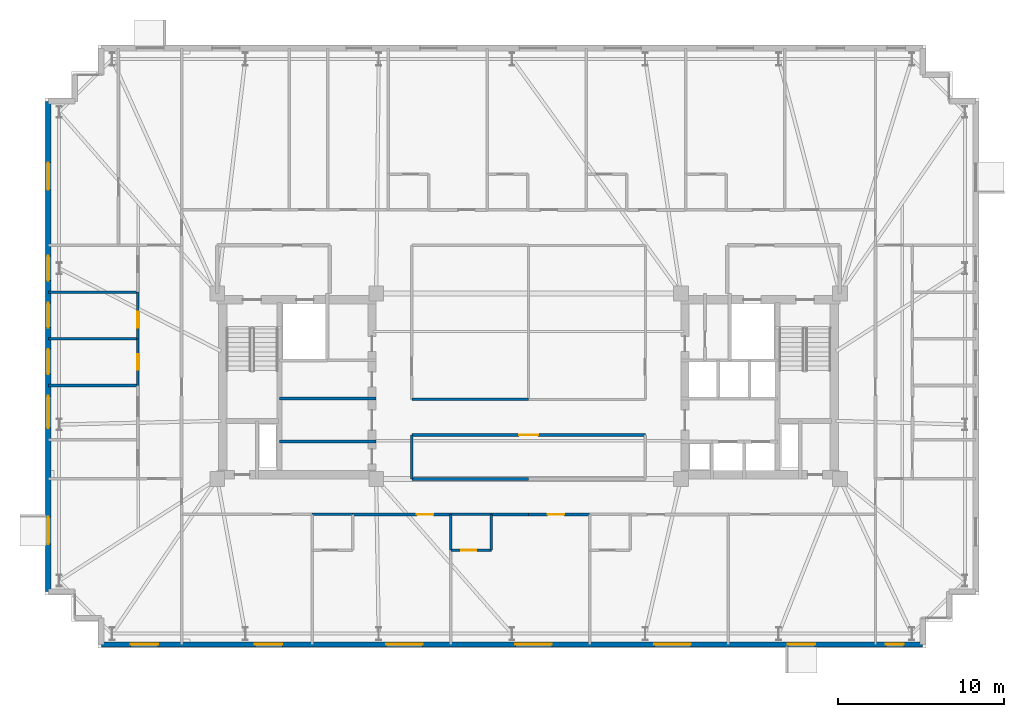
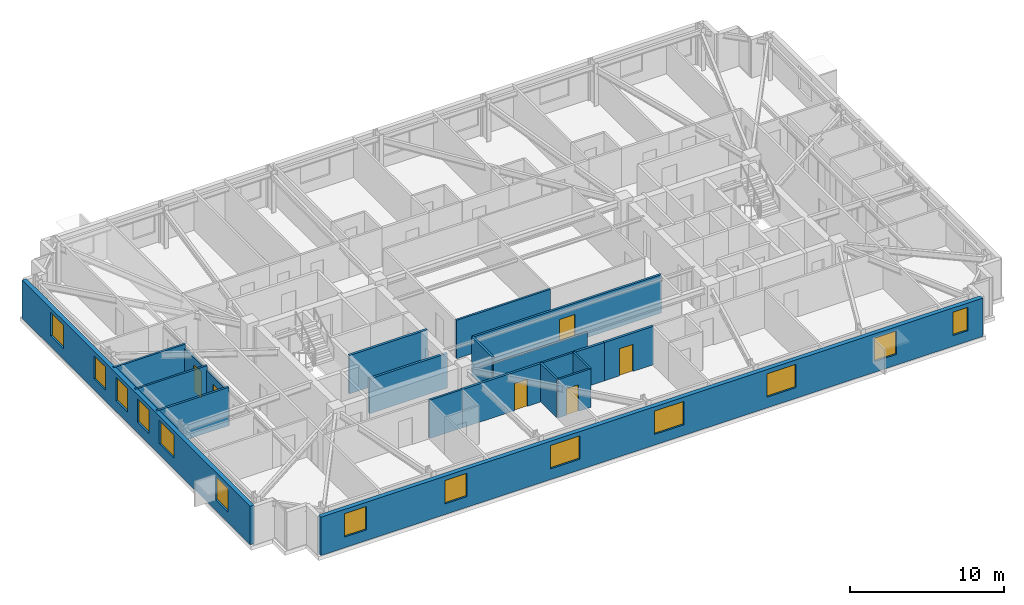
# One storey, part 11 of 19: 21 walls, 13 windows, 6 doors, 19 openings.
"""IFC4 building model written with IfcOpenShell, lengths in metres."""

from ifc_helpers import new_model, si_unit, direction, frame, frame_2d, origin, place, context, subcontext, project, spatial, rectangle, extrude, material, layer, layer_set, type_object, element, fill, save


model = new_model("IFC4")

# Units and contexts
model_context = context("Model", 3, precision=1e-05, world=origin(), true_north=direction((0.0, 1.0)))
body_context = subcontext(model_context, "Body", "Model", "MODEL_VIEW")
ifc_project = project(units=[si_unit("LENGTHUNIT", "METRE"), si_unit("AREAUNIT", "SQUARE_METRE"), si_unit("VOLUMEUNIT", "CUBIC_METRE"), si_unit("PLANEANGLEUNIT", "RADIAN"), si_unit("MASSUNIT", "GRAM", prefix="KILO")], contexts=[model_context])

# Site, building, storey
site_placement = place(None, origin())
site = spatial("IfcSite", under=ifc_project, at=site_placement, CompositionType="ELEMENT")
building_placement = place(site_placement, origin())
building = spatial("IfcBuilding", under=site, at=building_placement, Name="Qobustan Lattice House", CompositionType="ELEMENT")
storey_placement = place(building_placement, frame((0.0, 0.0, 137.699951171875)))
storey = spatial("IfcBuildingStorey", under=building, at=storey_placement, Name="L38", CompositionType="ELEMENT", Elevation=137.699951171875)

# Wall, openings, windows
ifc_material_1 = material(Name="Precast concrete C40/50", Category="concrete")
ifc_layer_1 = layer(ifc_material_1, 0.320068359375)
ifc_layer_set_1 = layer_set([ifc_layer_1], Name="Precast concrete C40/50")
wall_type_1 = type_object("IfcWallType", Name="WAL-EXT-STONE-320", PredefinedType="SOLIDWALL", material=ifc_layer_set_1)
wall_1_placement = place(storey_placement, frame((-29.0, -12.39990234375, 0.0), z_axis=(0.0, 0.0, 1.0), x_axis=(0.0, 1.0, 0.0)))
wall_1 = element("IfcWall", 1, at=wall_1_placement, inside=storey, type_object=wall_type_1, Name="L38 exterior limestone-clad wall 5", PredefinedType="SOLIDWALL", context=body_context, shape_type="SweptSolid", body=[
    extrude(rectangle(XDim=29.599853515625, YDim=0.320068359375, at=frame_2d((14.7998046875, 0.0))), origin(), (0.0, 0.0, 1.0), 3.0400390625),
])
opening_1_placement = place(wall_1_placement, frame((2.85498046875, 0.0, 0.85009765625)))
opening_1 = element("IfcOpeningElement", 2, at=opening_1_placement, cuts=wall_1, Name="Opening WN-09", PredefinedType="OPENING", context=body_context, shape_type="SweptSolid", body=[
    extrude(rectangle(XDim=1.64990234375, YDim=1.85009765625, at=frame_2d((0.824951171875, 0.925048828125))), frame((0.0, 0.169921875, 0.0), z_axis=(0.0, -1.0, 0.0), x_axis=(1.0, 0.0, 0.0)), (0.0, 0.0, 1.0), 0.340087890625),
])
opening_2_placement = place(wall_1_placement, frame((9.864990234375, 0.0, 0.85009765625)))
opening_2 = element("IfcOpeningElement", 3, at=opening_2_placement, cuts=wall_1, Name="Opening WN-08", PredefinedType="OPENING", context=body_context, shape_type="SweptSolid", body=[
    extrude(rectangle(XDim=1.949951171875, YDim=1.85009765625, at=frame_2d((0.97509765625, 0.925048828125))), frame((0.0, 0.169921875, 0.0), z_axis=(0.0, -1.0, 0.0), x_axis=(1.0, 0.0, 0.0)), (0.0, 0.0, 1.0), 0.340087890625),
])
opening_3_placement = place(wall_1_placement, frame((13.1298828125, 0.0, 0.85009765625)))
opening_3 = element("IfcOpeningElement", 4, at=opening_3_placement, cuts=wall_1, Name="Opening WN-01", PredefinedType="OPENING", context=body_context, shape_type="SweptSolid", body=[
    extrude(rectangle(XDim=1.5, YDim=1.85009765625, at=frame_2d((0.75, 0.925048828125))), frame((0.0, 0.169921875, 0.0), z_axis=(0.0, -1.0, 0.0), x_axis=(1.0, 0.0, 0.0)), (0.0, 0.0, 1.0), 0.340087890625),
])
opening_4_placement = place(wall_1_placement, frame((15.929931640625, 0.0, 0.85009765625)))
opening_4 = element("IfcOpeningElement", 5, at=opening_4_placement, cuts=wall_1, Name="Opening WN-01", PredefinedType="OPENING", context=body_context, shape_type="SweptSolid", body=[
    extrude(rectangle(XDim=1.5, YDim=1.85009765625, at=frame_2d((0.75, 0.925048828125))), frame((0.0, 0.169921875, 0.0), z_axis=(0.0, -1.0, 0.0), x_axis=(1.0, 0.0, 0.0)), (0.0, 0.0, 1.0), 0.340087890625),
])
opening_5_placement = place(wall_1_placement, frame((18.77001953125, 0.0, 0.85009765625)))
opening_5 = element("IfcOpeningElement", 6, at=opening_5_placement, cuts=wall_1, Name="Opening WN-01", PredefinedType="OPENING", context=body_context, shape_type="SweptSolid", body=[
    extrude(rectangle(XDim=1.5, YDim=1.85009765625, at=frame_2d((0.75, 0.925048828125))), frame((0.0, 0.169921875, 0.0), z_axis=(0.0, -1.0, 0.0), x_axis=(1.0, 0.0, 0.0)), (0.0, 0.0, 1.0), 0.340087890625),
])
opening_6_placement = place(wall_1_placement, frame((24.2548828125, 0.0, 0.85009765625)))
opening_6 = element("IfcOpeningElement", 7, at=opening_6_placement, cuts=wall_1, Name="Opening WN-09", PredefinedType="OPENING", context=body_context, shape_type="SweptSolid", body=[
    extrude(rectangle(XDim=1.64990234375, YDim=1.85009765625, at=frame_2d((0.824951171875, 0.925048828125))), frame((0.0, 0.169921875, 0.0), z_axis=(0.0, -1.0, 0.0), x_axis=(1.0, 0.0, 0.0)), (0.0, 0.0, 1.0), 0.340087890625),
])
ifc_material_2 = material(Name="Double-glazed low-E aluminium window", Category="aluminium")
window_type_1 = type_object("IfcWindowType", Name="WIN-BED-1500x1850", PartitioningType="SINGLE_PANEL", PredefinedType="WINDOW", material=ifc_material_2)
window_1_placement = place(opening_3_placement, origin())
window_1 = element("IfcWindow", 8, at=window_1_placement, inside=storey, type_object=window_type_1, Name="L38 Cluster bedroom L38W1 window", OverallHeight=1.85009765625, OverallWidth=1.5, PartitioningType="SINGLE_PANEL", PredefinedType="WINDOW", context=body_context, shape_type="SweptSolid", body=[
    extrude(rectangle(XDim=1.5, YDim=1.85009765625, at=frame_2d((0.75, 0.925048828125))), frame((0.0, 0.030029296875, 0.0), z_axis=(0.0, -1.0, 0.0), x_axis=(1.0, 0.0, 0.0)), (0.0, 0.0, 1.0), 0.06005859375),
])
fill(opening_3, window_1)
window_2_placement = place(opening_4_placement, origin())
window_2 = element("IfcWindow", 9, at=window_2_placement, inside=storey, type_object=window_type_1, Name="L38 Cluster bedroom L38W2 window", OverallHeight=1.85009765625, OverallWidth=1.5, PartitioningType="SINGLE_PANEL", PredefinedType="WINDOW", context=body_context, shape_type="SweptSolid", body=[
    extrude(rectangle(XDim=1.5, YDim=1.85009765625, at=frame_2d((0.75, 0.925048828125))), frame((0.0, 0.030029296875, 0.0), z_axis=(0.0, -1.0, 0.0), x_axis=(1.0, 0.0, 0.0)), (0.0, 0.0, 1.0), 0.06005859375),
])
fill(opening_4, window_2)
window_3_placement = place(opening_5_placement, origin())
window_3 = element("IfcWindow", 10, at=window_3_placement, inside=storey, type_object=window_type_1, Name="L38 Cluster bedroom L38W3 window", OverallHeight=1.85009765625, OverallWidth=1.5, PartitioningType="SINGLE_PANEL", PredefinedType="WINDOW", context=body_context, shape_type="SweptSolid", body=[
    extrude(rectangle(XDim=1.5, YDim=1.85009765625, at=frame_2d((0.75, 0.925048828125))), frame((0.0, 0.030029296875, 0.0), z_axis=(0.0, -1.0, 0.0), x_axis=(1.0, 0.0, 0.0)), (0.0, 0.0, 1.0), 0.06005859375),
])
fill(opening_5, window_3)
ifc_material_3 = material(Name="Double-glazed low-E aluminium window", Category="aluminium")
window_type_2 = type_object("IfcWindowType", Name="WIN-KIT-1950x1850", PartitioningType="SINGLE_PANEL", PredefinedType="WINDOW", material=ifc_material_3)
window_4_placement = place(opening_2_placement, origin())
window_4 = element("IfcWindow", 11, at=window_4_placement, inside=storey, type_object=window_type_2, Name="L38 Shared kitchen L38W window", OverallHeight=1.85009765625, OverallWidth=1.949951171875, PartitioningType="SINGLE_PANEL", PredefinedType="WINDOW", context=body_context, shape_type="SweptSolid", body=[
    extrude(rectangle(XDim=1.949951171875, YDim=1.85009765625, at=frame_2d((0.97509765625, 0.925048828125))), frame((0.0, 0.030029296875, 0.0), z_axis=(0.0, -1.0, 0.0), x_axis=(1.0, 0.0, 0.0)), (0.0, 0.0, 1.0), 0.06005859375),
])
fill(opening_2, window_4)
ifc_material_4 = material(Name="Double-glazed low-E aluminium window", Category="aluminium")
window_type_3 = type_object("IfcWindowType", Name="WIN-STU-1650x1850", PartitioningType="SINGLE_PANEL", PredefinedType="WINDOW", material=ifc_material_4)
window_5_placement = place(opening_1_placement, origin())
window_5 = element("IfcWindow", 12, at=window_5_placement, inside=storey, type_object=window_type_3, Name="L38 Reading study room L38WS window", OverallHeight=1.85009765625, OverallWidth=1.64990234375, PartitioningType="SINGLE_PANEL", PredefinedType="WINDOW", context=body_context, shape_type="SweptSolid", body=[
    extrude(rectangle(XDim=1.64990234375, YDim=1.85009765625, at=frame_2d((0.824951171875, 0.925048828125))), frame((0.0, 0.030029296875, 0.0), z_axis=(0.0, -1.0, 0.0), x_axis=(1.0, 0.0, 0.0)), (0.0, 0.0, 1.0), 0.06005859375),
])
fill(opening_1, window_5)
window_6_placement = place(opening_6_placement, origin())
window_6 = element("IfcWindow", 13, at=window_6_placement, inside=storey, type_object=window_type_3, Name="L38 Collaborative study room L38WN window", OverallHeight=1.85009765625, OverallWidth=1.64990234375, PartitioningType="SINGLE_PANEL", PredefinedType="WINDOW", context=body_context, shape_type="SweptSolid", body=[
    extrude(rectangle(XDim=1.64990234375, YDim=1.85009765625, at=frame_2d((0.824951171875, 0.925048828125))), frame((0.0, 0.030029296875, 0.0), z_axis=(0.0, -1.0, 0.0), x_axis=(1.0, 0.0, 0.0)), (0.0, 0.0, 1.0), 0.06005859375),
])
fill(opening_6, window_6)

wall_2_placement = place(storey_placement, frame((23.800048828125, -15.60009765625, 0.0), z_axis=(0.0, 0.0, 1.0), x_axis=(-1.0, 0.0, 0.0)))
wall_2 = element("IfcWall", 14, at=wall_2_placement, inside=storey, type_object=wall_type_1, Name="L38 exterior limestone-clad wall 20", PredefinedType="SOLIDWALL", context=body_context, shape_type="SweptSolid", body=[
    extrude(rectangle(XDim=49.60009765625, YDim=0.320068359375, at=frame_2d((24.800048828125, 0.0))), origin(), (0.0, 0.0, 1.0), 3.0400390625),
])
opening_7_placement = place(wall_2_placement, frame((1.1298828125, 0.0, 0.85009765625)))
opening_7 = element("IfcOpeningElement", 15, at=opening_7_placement, cuts=wall_2, Name="Opening WN-04", PredefinedType="OPENING", context=body_context, shape_type="SweptSolid", body=[
    extrude(rectangle(XDim=1.10009765625, YDim=1.85009765625, at=frame_2d((0.550048828125, 0.925048828125))), frame((0.0, 0.169921875, 0.0), z_axis=(0.0, -1.0, 0.0), x_axis=(1.0, 0.0, 0.0)), (0.0, 0.0, 1.0), 0.340087890625),
])
opening_8_placement = place(wall_2_placement, frame((6.4951171875, 0.0, 0.85009765625)))
opening_8 = element("IfcOpeningElement", 16, at=opening_8_placement, cuts=wall_2, Name="Opening WN-09", PredefinedType="OPENING", context=body_context, shape_type="SweptSolid", body=[
    extrude(rectangle(XDim=1.64990234375, YDim=1.85009765625, at=frame_2d((0.824951171875, 0.925048828125))), frame((0.0, 0.169921875, 0.0), z_axis=(0.0, -1.0, 0.0), x_axis=(1.0, 0.0, 0.0)), (0.0, 0.0, 1.0), 0.340087890625),
])
opening_9_placement = place(wall_2_placement, frame((13.99609375, 0.0, 0.85009765625)))
opening_9 = element("IfcOpeningElement", 17, at=opening_9_placement, cuts=wall_2, Name="Opening WN-03", PredefinedType="OPENING", context=body_context, shape_type="SweptSolid", body=[
    extrude(rectangle(XDim=2.199951171875, YDim=1.85009765625, at=frame_2d((1.10009765625, 0.925048828125))), frame((0.0, 0.169921875, 0.0), z_axis=(0.0, -1.0, 0.0), x_axis=(1.0, 0.0, 0.0)), (0.0, 0.0, 1.0), 0.340087890625),
])
opening_10_placement = place(wall_2_placement, frame((22.39599609375, 0.0, 0.85009765625)))
opening_10 = element("IfcOpeningElement", 18, at=opening_10_placement, cuts=wall_2, Name="Opening WN-03", PredefinedType="OPENING", context=body_context, shape_type="SweptSolid", body=[
    extrude(rectangle(XDim=2.199951171875, YDim=1.85009765625, at=frame_2d((1.10009765625, 0.925048828125))), frame((0.0, 0.169921875, 0.0), z_axis=(0.0, -1.0, 0.0), x_axis=(1.0, 0.0, 0.0)), (0.0, 0.0, 1.0), 0.340087890625),
])
opening_11_placement = place(wall_2_placement, frame((30.199951171875, 0.0, 0.85009765625)))
opening_11 = element("IfcOpeningElement", 19, at=opening_11_placement, cuts=wall_2, Name="Opening WN-03", PredefinedType="OPENING", context=body_context, shape_type="SweptSolid", body=[
    extrude(rectangle(XDim=2.199951171875, YDim=1.85009765625, at=frame_2d((1.10009765625, 0.925048828125))), frame((0.0, 0.169921875, 0.0), z_axis=(0.0, -1.0, 0.0), x_axis=(1.0, 0.0, 0.0)), (0.0, 0.0, 1.0), 0.340087890625),
])
opening_12_placement = place(wall_2_placement, frame((38.672607421875, 0.0, 0.85009765625)))
opening_12 = element("IfcOpeningElement", 20, at=opening_12_placement, cuts=wall_2, Name="Opening WN-09", PredefinedType="OPENING", context=body_context, shape_type="SweptSolid", body=[
    extrude(rectangle(XDim=1.64990234375, YDim=1.85009765625, at=frame_2d((0.824951171875, 0.925048828125))), frame((0.0, 0.169921875, 0.0), z_axis=(0.0, -1.0, 0.0), x_axis=(1.0, 0.0, 0.0)), (0.0, 0.0, 1.0), 0.340087890625),
])
opening_13_placement = place(wall_2_placement, frame((46.175048828125, 0.0, 0.85009765625)))
opening_13 = element("IfcOpeningElement", 21, at=opening_13_placement, cuts=wall_2, Name="Opening WN-09", PredefinedType="OPENING", context=body_context, shape_type="SweptSolid", body=[
    extrude(rectangle(XDim=1.64990234375, YDim=1.85009765625, at=frame_2d((0.824951171875, 0.925048828125))), frame((0.0, 0.169921875, 0.0), z_axis=(0.0, -1.0, 0.0), x_axis=(1.0, 0.0, 0.0)), (0.0, 0.0, 1.0), 0.340087890625),
])
ifc_material_5 = material(Name="Double-glazed low-E aluminium window", Category="aluminium")
window_type_4 = type_object("IfcWindowType", Name="WIN-NAR-1100x1850", PartitioningType="SINGLE_PANEL", PredefinedType="WINDOW", material=ifc_material_5)
window_7_placement = place(opening_7_placement, origin())
window_7 = element("IfcWindow", 22, at=window_7_placement, inside=storey, type_object=window_type_4, Name="L38 Reading study room L38ES window", OverallHeight=1.85009765625, OverallWidth=1.10009765625, PartitioningType="SINGLE_PANEL", PredefinedType="WINDOW", context=body_context, shape_type="SweptSolid", body=[
    extrude(rectangle(XDim=1.10009765625, YDim=1.85009765625, at=frame_2d((0.550048828125, 0.925048828125))), frame((0.0, 0.030029296875, 0.0), z_axis=(0.0, -1.0, 0.0), x_axis=(1.0, 0.0, 0.0)), (0.0, 0.0, 1.0), 0.06005859375),
])
fill(opening_7, window_7)
window_8_placement = place(opening_8_placement, origin())
window_8 = element("IfcWindow", 23, at=window_8_placement, inside=storey, type_object=window_type_3, Name="L38 Group study room window", OverallHeight=1.85009765625, OverallWidth=1.64990234375, PartitioningType="SINGLE_PANEL", PredefinedType="WINDOW", context=body_context, shape_type="SweptSolid", body=[
    extrude(rectangle(XDim=1.64990234375, YDim=1.85009765625, at=frame_2d((0.824951171875, 0.925048828125))), frame((0.0, 0.030029296875, 0.0), z_axis=(0.0, -1.0, 0.0), x_axis=(1.0, 0.0, 0.0)), (0.0, 0.0, 1.0), 0.06005859375),
])
fill(opening_8, window_8)
window_9_placement = place(opening_12_placement, origin())
window_9 = element("IfcWindow", 24, at=window_9_placement, inside=storey, type_object=window_type_3, Name="L38 Focus study room S1 window", OverallHeight=1.85009765625, OverallWidth=1.64990234375, PartitioningType="SINGLE_PANEL", PredefinedType="WINDOW", context=body_context, shape_type="SweptSolid", body=[
    extrude(rectangle(XDim=1.64990234375, YDim=1.85009765625, at=frame_2d((0.824951171875, 0.925048828125))), frame((0.0, 0.030029296875, 0.0), z_axis=(0.0, -1.0, 0.0), x_axis=(1.0, 0.0, 0.0)), (0.0, 0.0, 1.0), 0.06005859375),
])
fill(opening_12, window_9)
window_10_placement = place(opening_13_placement, origin())
window_10 = element("IfcWindow", 25, at=window_10_placement, inside=storey, type_object=window_type_3, Name="L38 Reading study room L38WS window", OverallHeight=1.85009765625, OverallWidth=1.64990234375, PartitioningType="SINGLE_PANEL", PredefinedType="WINDOW", context=body_context, shape_type="SweptSolid", body=[
    extrude(rectangle(XDim=1.64990234375, YDim=1.85009765625, at=frame_2d((0.824951171875, 0.925048828125))), frame((0.0, 0.030029296875, 0.0), z_axis=(0.0, -1.0, 0.0), x_axis=(1.0, 0.0, 0.0)), (0.0, 0.0, 1.0), 0.06005859375),
])
fill(opening_13, window_10)
ifc_material_6 = material(Name="Double-glazed low-E aluminium window", Category="aluminium")
window_type_5 = type_object("IfcWindowType", Name="WIN-WIDE-2200x1850", PartitioningType="SINGLE_PANEL", PredefinedType="WINDOW", material=ifc_material_6)
window_11_placement = place(opening_9_placement, origin())
window_11 = element("IfcWindow", 26, at=window_11_placement, inside=storey, type_object=window_type_5, Name="L38 Kitchenette and studio apartment L38-S4 window", OverallHeight=1.85009765625, OverallWidth=2.199951171875, PartitioningType="SINGLE_PANEL", PredefinedType="WINDOW", context=body_context, shape_type="SweptSolid", body=[
    extrude(rectangle(XDim=2.199951171875, YDim=1.85009765625, at=frame_2d((1.10009765625, 0.925048828125))), frame((0.0, 0.030029296875, 0.0), z_axis=(0.0, -1.0, 0.0), x_axis=(1.0, 0.0, 0.0)), (0.0, 0.0, 1.0), 0.06005859375),
])
fill(opening_9, window_11)
window_12_placement = place(opening_10_placement, origin())
window_12 = element("IfcWindow", 27, at=window_12_placement, inside=storey, type_object=window_type_5, Name="L38 Kitchenette and studio apartment L38-S3 window", OverallHeight=1.85009765625, OverallWidth=2.199951171875, PartitioningType="SINGLE_PANEL", PredefinedType="WINDOW", context=body_context, shape_type="SweptSolid", body=[
    extrude(rectangle(XDim=2.199951171875, YDim=1.85009765625, at=frame_2d((1.10009765625, 0.925048828125))), frame((0.0, 0.030029296875, 0.0), z_axis=(0.0, -1.0, 0.0), x_axis=(1.0, 0.0, 0.0)), (0.0, 0.0, 1.0), 0.06005859375),
])
fill(opening_10, window_12)
window_13_placement = place(opening_11_placement, origin())
window_13 = element("IfcWindow", 28, at=window_13_placement, inside=storey, type_object=window_type_5, Name="L38 Kitchenette and studio apartment L38-S2 window", OverallHeight=1.85009765625, OverallWidth=2.199951171875, PartitioningType="SINGLE_PANEL", PredefinedType="WINDOW", context=body_context, shape_type="SweptSolid", body=[
    extrude(rectangle(XDim=2.199951171875, YDim=1.85009765625, at=frame_2d((1.10009765625, 0.925048828125))), frame((0.0, 0.030029296875, 0.0), z_axis=(0.0, -1.0, 0.0), x_axis=(1.0, 0.0, 0.0)), (0.0, 0.0, 1.0), 0.06005859375),
])
fill(opening_11, window_13)

# Walls
ifc_material_7 = material(Name="Gypsum fireboard acoustic partition", Category="gypsum")
ifc_layer_2 = layer(ifc_material_7, 0.179931640625)
ifc_layer_set_2 = layer_set([ifc_layer_2], Name="Gypsum fireboard acoustic partition")
wall_type_2 = type_object("IfcWallType", Name="WAL-FIRE-180", PredefinedType="PARTITIONING", material=ifc_layer_set_2)
wall_3_placement = place(storey_placement, frame((-15.050048828125, -3.35009765625, 0.0), z_axis=(0.0, 0.0, 1.0), x_axis=(1.0, 0.0, 0.0)))
element("IfcWall", 29, at=wall_3_placement, inside=storey, type_object=wall_type_2, Name="L38 interior partition 8", PredefinedType="PARTITIONING", context=body_context, shape_type="SweptSolid", body=[
    extrude(rectangle(XDim=5.85009765625, YDim=0.179931640625, at=frame_2d((2.925048828125, 0.0))), origin(), (0.0, 0.0, 1.0), 2.755126953125),
])
wall_4_placement = place(storey_placement, frame((-9.199951171875, -0.75, 0.0), z_axis=(0.0, 0.0, 1.0), x_axis=(-1.0, 0.0, 0.0)))
element("IfcWall", 30, at=wall_4_placement, inside=storey, type_object=wall_type_2, Name="L38 interior partition 9", PredefinedType="PARTITIONING", context=body_context, shape_type="SweptSolid", body=[
    extrude(rectangle(XDim=5.85009765625, YDim=0.179931640625, at=frame_2d((2.925048828125, 0.0))), origin(), (0.0, 0.0, 1.0), 3.0400390625),
])

# Wall, opening, door
wall_5_placement = place(storey_placement, frame((-4.68994140625, -7.75, 0.0), z_axis=(0.0, 0.0, 1.0), x_axis=(-1.0, 0.0, 0.0)))
wall_5 = element("IfcWall", 31, at=wall_5_placement, inside=storey, type_object=wall_type_2, Name="L38 interior partition 49", PredefinedType="PARTITIONING", context=body_context, shape_type="SweptSolid", body=[
    extrude(rectangle(XDim=5.93017578125, YDim=0.179931640625, at=frame_2d((2.965087890625, 0.0))), origin(), (0.0, 0.0, 1.0), 3.0400390625),
])
opening_14_placement = place(wall_5_placement, frame((1.05126953125, 0.0, 0.0)))
opening_14 = element("IfcOpeningElement", 32, at=opening_14_placement, cuts=wall_5, Name="Opening FD-02", PredefinedType="OPENING", context=body_context, shape_type="SweptSolid", body=[
    extrude(rectangle(XDim=1.0, YDim=2.14990234375, at=frame_2d((0.5, 1.074951171875))), frame((0.0, 0.099853515625, 0.0), z_axis=(0.0, -1.0, 0.0), x_axis=(1.0, 0.0, 0.0)), (0.0, 0.0, 1.0), 0.199951171875),
])
ifc_material_8 = material(Name="Persian walnut timber and steel frame door", Category="steel")
door_type_1 = type_object("IfcDoorType", Name="DOR-UNIT-FD-1000x2150", OperationType="NOTDEFINED", PredefinedType="DOOR", material=ifc_material_8)
door_1_placement = place(opening_14_placement, origin())
door_1 = element("IfcDoor", 33, at=door_1_placement, inside=storey, type_object=door_type_1, Name="L38 South-west floor corridor to Kitchenette and studio apartment L38-S2 door", OperationType="SINGLE_SWING_RIGHT", OverallHeight=2.14990234375, OverallWidth=1.0, PredefinedType="DOOR", context=body_context, shape_type="SweptSolid", body=[
    extrude(rectangle(XDim=1.0, YDim=2.14990234375, at=frame_2d((0.5, 1.074951171875))), frame((0.0, 0.02490234375, 0.0), z_axis=(0.0, -1.0, 0.0), x_axis=(1.0, 0.0, 0.0)), (0.0, 0.0, 1.0), 0.050048828125),
])
fill(opening_14, door_1)

# Wall
wall_6_placement = place(storey_placement, frame((0.0, -7.75, 0.0), z_axis=(0.0, 0.0, 1.0), x_axis=(-1.0, 0.0, 0.0)))
element("IfcWall", 34, at=wall_6_placement, inside=storey, type_object=wall_type_2, Name="L38 interior partition 51", PredefinedType="PARTITIONING", context=body_context, shape_type="SweptSolid", body=[
    extrude(rectangle(XDim=2.239990234375, YDim=0.179931640625, at=frame_2d((1.1201171875, 0.0))), origin(), (0.0, 0.0, 1.0), 3.0400390625),
])

# Wall, opening, door
wall_7_placement = place(storey_placement, frame((3.68994140625, -7.75, 0.0), z_axis=(0.0, 0.0, 1.0), x_axis=(-1.0, 0.0, 0.0)))
wall_7 = element("IfcWall", 35, at=wall_7_placement, inside=storey, type_object=wall_type_2, Name="L38 interior partition 55", PredefinedType="PARTITIONING", context=body_context, shape_type="SweptSolid", body=[
    extrude(rectangle(XDim=3.68994140625, YDim=0.179931640625, at=frame_2d((1.844970703125, 0.0))), origin(), (0.0, 0.0, 1.0), 3.0400390625),
])
opening_15_placement = place(wall_7_placement, frame((1.5361328125, 0.0, 0.0)))
opening_15 = element("IfcOpeningElement", 36, at=opening_15_placement, cuts=wall_7, Name="Opening FD-02", PredefinedType="OPENING", context=body_context, shape_type="SweptSolid", body=[
    extrude(rectangle(XDim=1.0, YDim=2.14990234375, at=frame_2d((0.5, 1.074951171875))), frame((0.0, 0.099853515625, 0.0), z_axis=(0.0, -1.0, 0.0), x_axis=(1.0, 0.0, 0.0)), (0.0, 0.0, 1.0), 0.199951171875),
])
door_2_placement = place(opening_15_placement, origin())
door_2 = element("IfcDoor", 37, at=door_2_placement, inside=storey, type_object=door_type_1, Name="L38 South-east floor corridor to Kitchenette and studio apartment L38-S3 door", OperationType="SINGLE_SWING_RIGHT", OverallHeight=2.14990234375, OverallWidth=1.0, PredefinedType="DOOR", context=body_context, shape_type="SweptSolid", body=[
    extrude(rectangle(XDim=1.0, YDim=2.14990234375, at=frame_2d((0.5, 1.074951171875))), frame((0.0, 0.02490234375, 0.0), z_axis=(0.0, -1.0, 0.0), x_axis=(1.0, 0.0, 0.0)), (0.0, 0.0, 1.0), 0.050048828125),
])
fill(opening_15, door_2)

# Wall
ifc_material_9 = material(Name="Acoustic twin-stud gypsum partition", Category="gypsum")
ifc_layer_3 = layer(ifc_material_9, 0.14990234375)
ifc_layer_set_3 = layer_set([ifc_layer_3], Name="Acoustic twin-stud gypsum partition")
wall_type_3 = type_object("IfcWallType", Name="WAL-PART-150", PredefinedType="PARTITIONING", material=ifc_layer_set_3)
wall_8_placement = place(storey_placement, frame((-7.050048828125, -0.800048828125, 0.0), z_axis=(0.0, 0.0, 1.0), x_axis=(1.0, 0.0, 0.0)))
element("IfcWall", 38, at=wall_8_placement, inside=storey, type_object=wall_type_3, Name="L38 interior partition 62", PredefinedType="PARTITIONING", context=body_context, shape_type="SweptSolid", body=[
    extrude(rectangle(XDim=7.050048828125, YDim=0.14990234375, at=frame_2d((3.52490234375, 0.0))), origin(), (0.0, 0.0, 1.0), 3.0400390625),
])

# Wall, opening, door
wall_9_placement = place(storey_placement, frame((-23.60009765625, 0.0400390625, 0.0), z_axis=(0.0, 0.0, 1.0), x_axis=(0.0, 1.0, 0.0)))
wall_9 = element("IfcWall", 39, at=wall_9_placement, inside=storey, type_object=wall_type_3, Name="L38 interior partition 73", PredefinedType="PARTITIONING", context=body_context, shape_type="SweptSolid", body=[
    extrude(rectangle(XDim=2.820068359375, YDim=0.14990234375, at=frame_2d((1.41015625, 0.0))), origin(), (0.0, 0.0, 1.0), 2.695068359375),
])
opening_16_placement = place(wall_9_placement, frame((0.93505859375, 0.0, 0.0)))
opening_16 = element("IfcOpeningElement", 40, at=opening_16_placement, cuts=wall_9, Name="Opening ID-01", PredefinedType="OPENING", context=body_context, shape_type="SweptSolid", body=[
    extrude(rectangle(XDim=0.949951171875, YDim=2.10009765625, at=frame_2d((0.47509765625, 1.050048828125))), frame((0.0, 0.0849609375, 0.0), z_axis=(0.0, -1.0, 0.0), x_axis=(1.0, 0.0, 0.0)), (0.0, 0.0, 1.0), 0.169921875),
])
ifc_material_10 = material(Name="Persian walnut timber and steel frame door", Category="steel")
door_type_2 = type_object("IfcDoorType", Name="DOR-ROOM-950x2100", OperationType="NOTDEFINED", PredefinedType="DOOR", material=ifc_material_10)
door_3_placement = place(opening_16_placement, origin())
door_3 = element("IfcDoor", 41, at=door_3_placement, inside=storey, type_object=door_type_2, Name="L38 Residence entrance hall L38W to Cluster bedroom L38W1 door", OperationType="SINGLE_SWING_RIGHT", OverallHeight=2.10009765625, OverallWidth=0.949951171875, PredefinedType="DOOR", context=body_context, shape_type="SweptSolid", body=[
    extrude(rectangle(XDim=0.949951171875, YDim=2.10009765625, at=frame_2d((0.47509765625, 1.050048828125))), frame((0.0, 0.02490234375, 0.0), z_axis=(0.0, -1.0, 0.0), x_axis=(1.0, 0.0, 0.0)), (0.0, 0.0, 1.0), 0.050048828125),
])
fill(opening_16, door_3)

wall_10_placement = place(storey_placement, frame((-23.60009765625, 2.860107421875, 0.0), z_axis=(0.0, 0.0, 1.0), x_axis=(0.0, 1.0, 0.0)))
wall_10 = element("IfcWall", 42, at=wall_10_placement, inside=storey, type_object=wall_type_3, Name="L38 interior partition 74", PredefinedType="PARTITIONING", context=body_context, shape_type="SweptSolid", body=[
    extrude(rectangle(XDim=2.81982421875, YDim=0.14990234375, at=frame_2d((1.409912109375, 0.0))), origin(), (0.0, 0.0, 1.0), 2.695068359375),
])
opening_17_placement = place(wall_10_placement, frame((0.668701171875, 0.0, 0.0)))
opening_17 = element("IfcOpeningElement", 43, at=opening_17_placement, cuts=wall_10, Name="Opening ID-01", PredefinedType="OPENING", context=body_context, shape_type="SweptSolid", body=[
    extrude(rectangle(XDim=0.949951171875, YDim=2.10009765625, at=frame_2d((0.47509765625, 1.050048828125))), frame((0.0, 0.0849609375, 0.0), z_axis=(0.0, -1.0, 0.0), x_axis=(1.0, 0.0, 0.0)), (0.0, 0.0, 1.0), 0.169921875),
])
door_4_placement = place(opening_17_placement, origin())
door_4 = element("IfcDoor", 44, at=door_4_placement, inside=storey, type_object=door_type_2, Name="L38 Residence entrance hall L38W to Cluster bedroom L38W2 door", OperationType="SINGLE_SWING_LEFT", OverallHeight=2.10009765625, OverallWidth=0.949951171875, PredefinedType="DOOR", context=body_context, shape_type="SweptSolid", body=[
    extrude(rectangle(XDim=0.949951171875, YDim=2.10009765625, at=frame_2d((0.47509765625, 1.050048828125))), frame((0.0, 0.02490234375, 0.0), z_axis=(0.0, -1.0, 0.0), x_axis=(1.0, 0.0, 0.0)), (0.0, 0.0, 1.0), 0.050048828125),
])
fill(opening_17, door_4)

# Walls
for number, where, z_axis, x_axis, name in (
    (45, (-29.0, 2.860107421875, 0.0), (0.0, 0.0, 1.0), (1.0, 0.0, 0.0), "L38 interior partition 84"),
    (46, (-29.0, 5.679931640625, 0.0), (0.0, 0.0, 1.0), (1.0, 0.0, 0.0), "L38 interior partition 85"),
):
    element("IfcWall", number, at=place(storey_placement, frame(where, z_axis=z_axis, x_axis=x_axis)), inside=storey, type_object=wall_type_3, Name=name, PredefinedType="PARTITIONING", context=body_context, shape_type="SweptSolid", body=[
        extrude(rectangle(XDim=5.39990234375, YDim=0.14990234375, at=frame_2d((2.699951171875, 0.0))), origin(), (0.0, 0.0, 1.0), 3.0400390625),
    ])
ifc_material_11 = material(Name="High-mass acoustic twin-stud partition", Category="gypsum")
ifc_layer_4 = layer(ifc_material_11, 0.1650390625)
ifc_layer_set_4 = layer_set([ifc_layer_4], Name="High-mass acoustic twin-stud partition")
wall_type_4 = type_object("IfcWallType", Name="WAL-PART-165", PredefinedType="PARTITIONING", material=ifc_layer_set_4)
wall_11_placement = place(storey_placement, frame((-7.050048828125, -5.60009765625, 0.0), z_axis=(0.0, 0.0, 1.0), x_axis=(1.0, 0.0, 0.0)))
element("IfcWall", 47, at=wall_11_placement, inside=storey, type_object=wall_type_4, Name="L38 interior partition 53", PredefinedType="PARTITIONING", context=body_context, shape_type="SweptSolid", body=[
    extrude(rectangle(XDim=7.050048828125, YDim=0.1650390625, at=frame_2d((3.52490234375, 0.0))), origin(), (0.0, 0.0, 1.0), 2.525146484375),
])

# Wall, opening, door
wall_12_placement = place(storey_placement, frame((7.050048828125, -2.949951171875, 0.0), z_axis=(0.0, 0.0, 1.0), x_axis=(-1.0, 0.0, 0.0)))
wall_12 = element("IfcWall", 48, at=wall_12_placement, inside=storey, type_object=wall_type_4, Name="L38 interior partition 64", PredefinedType="PARTITIONING", context=body_context, shape_type="SweptSolid", body=[
    extrude(rectangle(XDim=14.10009765625, YDim=0.1650390625, at=frame_2d((7.050048828125, 0.0))), origin(), (0.0, 0.0, 1.0), 3.0400390625),
])
opening_18_placement = place(wall_12_placement, frame((6.47509765625, 0.0, 0.0)))
opening_18 = element("IfcOpeningElement", 49, at=opening_18_placement, cuts=wall_12, Name="Opening ID-03", PredefinedType="OPENING", context=body_context, shape_type="SweptSolid", body=[
    extrude(rectangle(XDim=1.14990234375, YDim=2.14990234375, at=frame_2d((0.574951171875, 1.074951171875))), frame((0.0, 0.092529296875, 0.0), z_axis=(0.0, -1.0, 0.0), x_axis=(1.0, 0.0, 0.0)), (0.0, 0.0, 1.0), 0.18505859375),
])
ifc_material_12 = material(Name="Persian walnut timber and steel frame door", Category="steel")
door_type_3 = type_object("IfcDoorType", Name="DOR-KITCH-1150x2150", OperationType="NOTDEFINED", PredefinedType="DOOR", material=ifc_material_12)
door_5_placement = place(opening_18_placement, origin())
door_5 = element("IfcDoor", 50, at=door_5_placement, inside=storey, type_object=door_type_3, Name="L38 Central spine corridor to Shared kitchen and tea room door", OperationType="SINGLE_SWING_LEFT", OverallHeight=2.14990234375, OverallWidth=1.14990234375, PredefinedType="DOOR", context=body_context, shape_type="SweptSolid", body=[
    extrude(rectangle(XDim=1.14990234375, YDim=2.14990234375, at=frame_2d((0.574951171875, 1.074951171875))), frame((0.0, 0.02490234375, 0.0), z_axis=(0.0, -1.0, 0.0), x_axis=(1.0, 0.0, 0.0)), (0.0, 0.0, 1.0), 0.050048828125),
])
fill(opening_18, door_5)

# Walls
wall_13_placement = place(storey_placement, frame((-7.050048828125, -2.949951171875, 0.0), z_axis=(0.0, 0.0, 1.0), x_axis=(0.0, -1.0, 0.0)))
element("IfcWall", 51, at=wall_13_placement, inside=storey, type_object=wall_type_4, Name="L38 interior partition 66", PredefinedType="PARTITIONING", context=body_context, shape_type="SweptSolid", body=[
    extrude(rectangle(XDim=2.650146484375, YDim=0.1650390625, at=frame_2d((1.3251953125, 0.0))), origin(), (0.0, 0.0, 1.0), 3.0400390625),
])
wall_14_placement = place(storey_placement, frame((-29.0, 0.0400390625, 0.0), z_axis=(0.0, 0.0, 1.0), x_axis=(1.0, 0.0, 0.0)))
element("IfcWall", 52, at=wall_14_placement, inside=storey, type_object=wall_type_4, Name="L38 interior partition 83", PredefinedType="PARTITIONING", context=body_context, shape_type="SweptSolid", body=[
    extrude(rectangle(XDim=5.39990234375, YDim=0.1650390625, at=frame_2d((2.699951171875, 0.0))), origin(), (0.0, 0.0, 1.0), 3.0400390625),
])
ifc_material_13 = material(Name="Moisture-resistant acoustic plumbing wall", Category="gypsum")
ifc_layer_5 = layer(ifc_material_13, 0.14990234375)
ifc_layer_set_5 = layer_set([ifc_layer_5], Name="Moisture-resistant acoustic plumbing wall")
wall_type_5 = type_object("IfcWallType", Name="WAL-WET-150", PredefinedType="PLUMBINGWALL", material=ifc_layer_set_5)
for number, where, z_axis, x_axis, name in (
    (53, (-10.6201171875, -7.75, 0.0), (0.0, 0.0, 1.0), (-1.0, 0.0, 0.0), "L38 interior partition 50"),
    (54, (-2.239990234375, -7.75, 0.0), (0.0, 0.0, 1.0), (-1.0, 0.0, 0.0), "L38 interior partition 52"),
):
    element("IfcWall", number, at=place(storey_placement, frame(where, z_axis=z_axis, x_axis=x_axis)), inside=storey, type_object=wall_type_5, Name=name, PredefinedType="PLUMBINGWALL", context=body_context, shape_type="SweptSolid", body=[
        extrude(rectangle(XDim=2.449951171875, YDim=0.14990234375, at=frame_2d((1.22509765625, 0.0))), origin(), (0.0, 0.0, 1.0), 3.0400390625),
    ])
wall_15_placement = place(storey_placement, frame((-4.68994140625, -7.75, 0.0), z_axis=(0.0, 0.0, 1.0), x_axis=(0.0, -1.0, 0.0)))
element("IfcWall", 55, at=wall_15_placement, inside=storey, type_object=wall_type_5, Name="L38 interior partition 125", PredefinedType="PLUMBINGWALL", context=body_context, shape_type="SweptSolid", body=[
    extrude(rectangle(XDim=2.14990234375, YDim=0.14990234375, at=frame_2d((1.074951171875, 0.0))), origin(), (0.0, 0.0, 1.0), 3.0400390625),
])

# Wall, opening, door
wall_16_placement = place(storey_placement, frame((-4.68994140625, -9.89990234375, 0.0), z_axis=(0.0, 0.0, 1.0), x_axis=(1.0, 0.0, 0.0)))
wall_16 = element("IfcWall", 56, at=wall_16_placement, inside=storey, type_object=wall_type_5, Name="L38 interior partition 126", PredefinedType="PLUMBINGWALL", context=body_context, shape_type="SweptSolid", body=[
    extrude(rectangle(XDim=2.449951171875, YDim=0.14990234375, at=frame_2d((1.22509765625, 0.0))), origin(), (0.0, 0.0, 1.0), 3.0400390625),
])
opening_19_placement = place(wall_16_placement, frame((0.62890625, 0.0, 0.0)))
opening_19 = element("IfcOpeningElement", 57, at=opening_19_placement, cuts=wall_16, Name="Opening WD-01", PredefinedType="OPENING", context=body_context, shape_type="SweptSolid", body=[
    extrude(rectangle(XDim=0.89990234375, YDim=2.10009765625, at=frame_2d((0.449951171875, 1.050048828125))), frame((0.0, 0.0849609375, 0.0), z_axis=(0.0, -1.0, 0.0), x_axis=(1.0, 0.0, 0.0)), (0.0, 0.0, 1.0), 0.169921875),
])
ifc_material_14 = material(Name="Persian walnut timber and steel frame door", Category="steel")
door_type_4 = type_object("IfcDoorType", Name="DOR-WET-900x2100", OperationType="NOTDEFINED", PredefinedType="DOOR", material=ifc_material_14)
door_6_placement = place(opening_19_placement, origin())
door_6 = element("IfcDoor", 58, at=door_6_placement, inside=storey, type_object=door_type_4, Name="L38 Kitchenette and studio apartment L38-S3 to En-suite bathroom L38-S3 door", OperationType="SINGLE_SWING_RIGHT", OverallHeight=2.10009765625, OverallWidth=0.89990234375, PredefinedType="DOOR", context=body_context, shape_type="SweptSolid", body=[
    extrude(rectangle(XDim=0.89990234375, YDim=2.10009765625, at=frame_2d((0.449951171875, 1.050048828125))), frame((0.0, 0.02490234375, 0.0), z_axis=(0.0, -1.0, 0.0), x_axis=(1.0, 0.0, 0.0)), (0.0, 0.0, 1.0), 0.050048828125),
])
fill(opening_19, door_6)

# Wall
wall_17_placement = place(storey_placement, frame((-2.239990234375, -9.89990234375, 0.0), z_axis=(0.0, 0.0, 1.0), x_axis=(0.0, 1.0, 0.0)))
element("IfcWall", 59, at=wall_17_placement, inside=storey, type_object=wall_type_5, Name="L38 interior partition 127", PredefinedType="PLUMBINGWALL", context=body_context, shape_type="SweptSolid", body=[
    extrude(rectangle(XDim=2.14990234375, YDim=0.14990234375, at=frame_2d((1.074951171875, 0.0))), origin(), (0.0, 0.0, 1.0), 3.0400390625),
])

save(model, "model.ifc")
